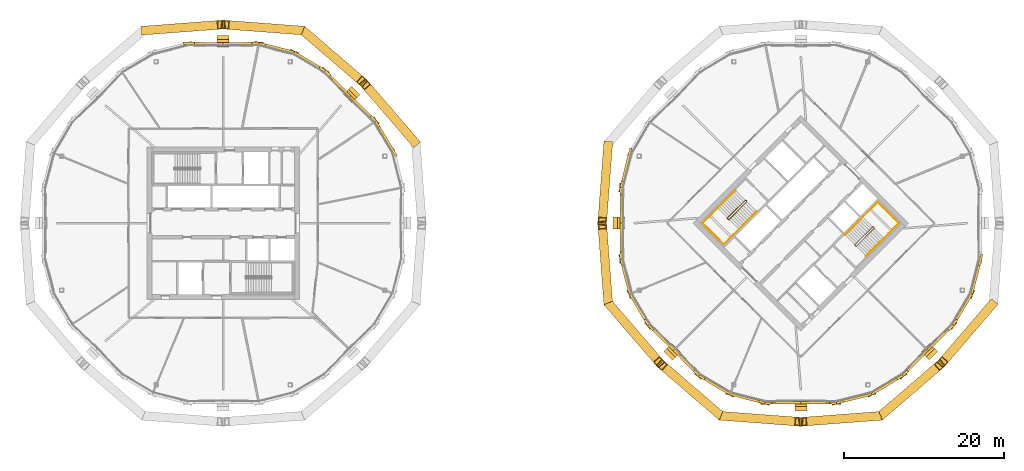
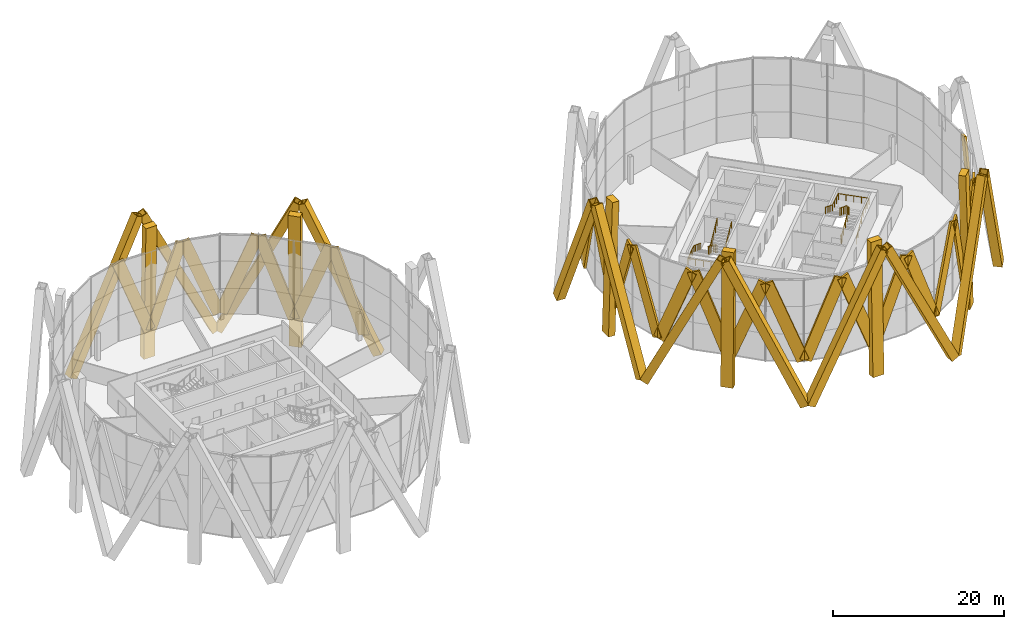
# One storey, part 22 of 23: 42 coverings, 4 railings.
"""IFC4 building model written with IfcOpenShell, lengths in metres."""

from ifc_helpers import new_model, si_unit, direction, frame, origin, origin_2d, place, context, subcontext, project, spatial, rectangle, hollow_rectangle, circle, extrude, material, material_profile, profile_set, type_object, element, save


model = new_model("IFC4")

# Units and contexts
model_context = context("Model", 3, precision=1e-05, world=origin(), true_north=direction((0.0, 1.0)))
body_context = subcontext(model_context, "Body", "Model", "MODEL_VIEW")
ifc_project = project(units=[si_unit("LENGTHUNIT", "METRE"), si_unit("AREAUNIT", "SQUARE_METRE"), si_unit("VOLUMEUNIT", "CUBIC_METRE"), si_unit("PLANEANGLEUNIT", "RADIAN"), si_unit("MASSUNIT", "GRAM", prefix="KILO")], contexts=[model_context])

# Site, building, storey
site_placement = place(None, origin())
site = spatial("IfcSite", under=ifc_project, at=site_placement, CompositionType="ELEMENT")
building_placement = place(site_placement, origin())
building = spatial("IfcBuilding", under=site, at=building_placement, Name="Ogive Gate Towers", CompositionType="ELEMENT")
storey_placement = place(building_placement, frame((0.0, 0.0, 165.60009765625)))
storey = spatial("IfcBuildingStorey", under=building, at=storey_placement, Name="L39", CompositionType="ELEMENT", Elevation=165.60009765625)

# Coverings
ifc_material_1 = material(Name="Pale metal aluminium", Category="aluminium")
ifc_material_profile_1 = material_profile(ifc_material_1, rectangle(XDim=1.5, YDim=0.89990234375, at=origin_2d()), Name="1500 x 900 pale metal aluminium")
ifc_profile_set_1 = profile_set([ifc_material_profile_1], Name="Pale metal aluminium")
covering_type_1 = type_object("IfcCoveringType", Name="Crease colonnette 1500 x 900", PredefinedType="CLADDING", material=ifc_profile_set_1)
for number, where, z_axis, x_axis, name in (
    (1, (-19.77197265625, 16.22802734375, -4.10009765625), (-0.019716323733, -0.019716323733, 0.999611190992), (0.707106781187, -0.707106781187, 0.0), "Crease colonnette"),
    (2, (-36.0, 22.949951171875, -4.10009765625), (0.0, -0.027885430639, 0.999611125767), (1.0, 0.0, 0.0), "Crease colonnette"),
    (3, (13.050048828125, 0.0, -4.10009765625), (0.027885430639, 0.0, 0.999611125767), (0.0, 1.0, 0.0), "Crease colonnette"),
    (4, (19.77197265625, -16.22802734375, -4.10009765625), (0.019716323733, 0.019716323733, 0.999611190992), (-0.707106781187, 0.707106781187, 0.0), "Crease colonnette"),
    (5, (36.0, -22.949951171875, -4.10009765625), (0.0, 0.027885430639, 0.999611125767), (-1.0, 0.0, 0.0), "Crease colonnette"),
    (6, (52.22802734375, -16.22802734375, -4.10009765625), (-0.019716323733, 0.019716323733, 0.999611190992), (-0.707106781187, -0.707106781187, 0.0), "Crease colonnette"),
):
    element("IfcCovering", number, at=place(storey_placement, frame(where, z_axis=z_axis, x_axis=x_axis)), inside=storey, type_object=covering_type_1, Name=name, PredefinedType="CLADDING", context=body_context, shape_type="SweptSolid", body=[
        extrude(rectangle(XDim=1.5, YDim=0.89990234375, at=origin_2d()), origin(), (0.0, 0.0, 1.0), 19.00732421875),
    ])
ifc_material_2 = material(Name="Pale metal aluminium cladding", Category="aluminium")
ifc_material_profile_2 = material_profile(ifc_material_2, hollow_rectangle(XDim=1.10009765625, YDim=1.10009765625, WallThickness=0.10009765625, at=origin_2d()), Name="1100 x 1100 pale metal casing")
ifc_profile_set_2 = profile_set([ifc_material_profile_2], Name="Pale metal aluminium cladding")
covering_type_2 = type_object("IfcCoveringType", Name="Diagrid casing 1100 x 1100", PredefinedType="CLADDING", material=ifc_profile_set_2)
for number, where, z_axis, x_axis, name in (
    (7, (-12.14599609375, 10.129150390625, -4.305908203125), (-0.28640402055, 0.333011902228, 0.898373981139), (-0.758169681127, -0.652057309307, 0.0), "Diagrid casing"),
    (8, (-25.870849609375, 23.85400390625, -4.305908203125), (0.333011902228, -0.28640402055, 0.898373981139), (0.652057309307, 0.758169681127, 0.0), "Diagrid casing"),
):
    element("IfcCovering", number, at=place(storey_placement, frame(where, z_axis=z_axis, x_axis=x_axis)), inside=storey, type_object=covering_type_2, Name=name, PredefinedType="CLADDING", context=body_context, shape_type="SweptSolid", body=[
        extrude(hollow_rectangle(XDim=1.10009765625, YDim=1.10009765625, WallThickness=0.10009765625, at=origin_2d()), origin(), (0.0, 0.0, 1.0), 21.607421875),
    ])
for number, where, z_axis, x_axis, name in (
    (9, (-26.294921875, 24.02978515625, -4.305908203125), (-0.437999553394, 0.032958717845, 0.898370811049), (-0.075036152058, -0.997180814037, 0.0), "Diagrid casing"),
    (10, (-45.705078125, 24.02978515625, -4.305908203125), (0.437999553394, 0.032958717845, 0.898370811049), (-0.075036152058, 0.997180814037, 0.0), "Diagrid casing"),
    (11, (11.97021484375, 9.705078125, -4.305908203125), (-0.032958717845, -0.437999553394, 0.898370811049), (0.997180814037, -0.075036152058, 0.0), "Diagrid casing"),
    (12, (11.97021484375, -9.705078125, -4.305908203125), (-0.032958717845, 0.437999553394, 0.898370811049), (-0.997180814037, -0.075036152058, 0.0), "Diagrid casing"),
):
    element("IfcCovering", number, at=place(storey_placement, frame(where, z_axis=z_axis, x_axis=x_axis)), inside=storey, type_object=covering_type_2, Name=name, PredefinedType="CLADDING", context=body_context, shape_type="SweptSolid", body=[
        extrude(hollow_rectangle(XDim=1.10009765625, YDim=1.10009765625, WallThickness=0.10009765625, at=origin_2d()), origin(), (0.0, 0.0, 1.0), 21.607666015625),
    ])
for number, where, z_axis, x_axis, name in (
    (13, (12.14599609375, -10.129150390625, -4.305908203125), (0.28640402055, -0.333011902228, 0.898373981139), (0.758169681127, 0.652057309307, 0.0), "Diagrid casing"),
    (14, (25.870849609375, -23.85400390625, -4.305908203125), (-0.333011902228, 0.28640402055, 0.898373981139), (-0.652057309307, -0.758169681127, 0.0), "Diagrid casing"),
):
    element("IfcCovering", number, at=place(storey_placement, frame(where, z_axis=z_axis, x_axis=x_axis)), inside=storey, type_object=covering_type_2, Name=name, PredefinedType="CLADDING", context=body_context, shape_type="SweptSolid", body=[
        extrude(hollow_rectangle(XDim=1.10009765625, YDim=1.10009765625, WallThickness=0.10009765625, at=origin_2d()), origin(), (0.0, 0.0, 1.0), 21.607421875),
    ])
for number, where, z_axis, x_axis, name in (
    (15, (26.294921875, -24.02978515625, -4.305908203125), (0.437999553394, -0.032958717845, 0.898370811049), (0.075036152058, 0.997180814037, 0.0), "Diagrid casing"),
    (16, (45.705078125, -24.02978515625, -4.305908203125), (-0.437999553394, -0.032958717845, 0.898370811049), (0.075036152058, -0.997180814037, 0.0), "Diagrid casing"),
):
    element("IfcCovering", number, at=place(storey_placement, frame(where, z_axis=z_axis, x_axis=x_axis)), inside=storey, type_object=covering_type_2, Name=name, PredefinedType="CLADDING", context=body_context, shape_type="SweptSolid", body=[
        extrude(hollow_rectangle(XDim=1.10009765625, YDim=1.10009765625, WallThickness=0.10009765625, at=origin_2d()), origin(), (0.0, 0.0, 1.0), 21.607666015625),
    ])
for number, where, z_axis, x_axis, name in (
    (17, (46.129150390625, -23.85400390625, -4.305908203125), (0.333011902228, 0.28640402055, 0.898373981139), (-0.652057309307, 0.758169681127, 0.0), "Diagrid casing"),
    (18, (59.85400390625, -10.129150390625, -4.305908203125), (-0.28640402055, -0.333011902228, 0.898373981139), (0.758169681127, -0.652057309307, 0.0), "Diagrid casing"),
):
    element("IfcCovering", number, at=place(storey_placement, frame(where, z_axis=z_axis, x_axis=x_axis)), inside=storey, type_object=covering_type_2, Name=name, PredefinedType="CLADDING", context=body_context, shape_type="SweptSolid", body=[
        extrude(hollow_rectangle(XDim=1.10009765625, YDim=1.10009765625, WallThickness=0.10009765625, at=origin_2d()), origin(), (0.0, 0.0, 1.0), 21.607421875),
    ])
ifc_material_profile_3 = material_profile(ifc_material_1, rectangle(XDim=0.300048828125, YDim=1.5, at=origin_2d()), Name="1500 x 300 pale metal aluminium")
ifc_profile_set_3 = profile_set([ifc_material_profile_3], Name="Pale metal aluminium")
covering_type_3 = type_object("IfcCoveringType", Name="Facade fin 1500 x 300", PredefinedType="CLADDING", material=ifc_profile_set_3)
covering_1_placement = place(storey_placement, frame((-14.76220703125, 8.94384765625, 0.01953125), z_axis=(-0.183480829235, 0.309103817281, 0.933161087619), x_axis=(-0.859915265798, -0.510436808671, 0.0)))
element("IfcCovering", 19, at=covering_1_placement, inside=storey, type_object=covering_type_3, Name="Facade fin", PredefinedType="CLADDING", context=body_context, shape_type="SweptSolid", body=[
    extrude(rectangle(XDim=0.300048828125, YDim=1.5, at=origin_2d()), origin(), (0.0, 0.0, 1.0), 11.85302734375),
])
for number, where, z_axis, x_axis, name in (
    (20, (-20.118896484375, 15.742919921875, 0.016357421875), (0.25496435911, -0.247293157105, 0.934793704532), (0.696225623066, 0.717823015643, 0.0), "Facade fin"),
    (21, (-20.257080078125, 15.881103515625, 0.016357421875), (-0.247293157105, 0.25496435911, 0.934793704532), (-0.717823015643, -0.696225623066, 0.0), "Facade fin"),
):
    element("IfcCovering", number, at=place(storey_placement, frame(where, z_axis=z_axis, x_axis=x_axis)), inside=storey, type_object=covering_type_3, Name=name, PredefinedType="CLADDING", context=body_context, shape_type="SweptSolid", body=[
        extrude(rectangle(XDim=0.300048828125, YDim=1.5, at=origin_2d()), origin(), (0.0, 0.0, 1.0), 11.839111328125),
    ])
for number, where, z_axis, x_axis, name in (
    (22, (-27.05615234375, 21.23779296875, 0.01953125), (0.309103817281, -0.183480829235, 0.933161087619), (0.510436808671, 0.859915265798, 0.0), "Facade fin"),
    (23, (-27.306640625, 21.341552734375, 0.01953125), (-0.348319514277, 0.088835791205, 0.933156856147), (-0.247130298452, -0.968982257622, 0.0), "Facade fin"),
):
    element("IfcCovering", number, at=place(storey_placement, frame(where, z_axis=z_axis, x_axis=x_axis)), inside=storey, type_object=covering_type_3, Name=name, PredefinedType="CLADDING", context=body_context, shape_type="SweptSolid", body=[
        extrude(rectangle(XDim=0.300048828125, YDim=1.5, at=origin_2d()), origin(), (0.0, 0.0, 1.0), 11.85302734375),
    ])
for number, where, z_axis, x_axis, name in (
    (24, (-35.90234375, 22.361572265625, 0.016357421875), (0.355162442023, 0.005423429266, 0.934788867173), (-0.015268498055, 0.999883429689, 0.0), "Facade fin"),
    (25, (-36.09765625, 22.361572265625, 0.016357421875), (-0.355162442023, 0.005423429266, 0.934788867173), (-0.015268498055, -0.999883429689, 0.0), "Facade fin"),
):
    element("IfcCovering", number, at=place(storey_placement, frame(where, z_axis=z_axis, x_axis=x_axis)), inside=storey, type_object=covering_type_3, Name=name, PredefinedType="CLADDING", context=body_context, shape_type="SweptSolid", body=[
        extrude(rectangle(XDim=0.300048828125, YDim=1.5, at=origin_2d()), origin(), (0.0, 0.0, 1.0), 11.839111328125),
    ])
covering_2_placement = place(storey_placement, frame((14.658447265625, 8.693359375, 0.01953125), z_axis=(-0.088835791205, -0.348319514277, 0.933156856147), x_axis=(0.968982257622, -0.247130298452, 0.0)))
element("IfcCovering", 26, at=covering_2_placement, inside=storey, type_object=covering_type_3, Name="Facade fin", PredefinedType="CLADDING", context=body_context, shape_type="SweptSolid", body=[
    extrude(rectangle(XDim=0.300048828125, YDim=1.5, at=origin_2d()), origin(), (0.0, 0.0, 1.0), 11.85302734375),
])
for number, where, z_axis, x_axis, name in (
    (27, (13.638427734375, 0.09765625, 0.016357421875), (-0.005423429266, 0.355162442023, 0.934788867173), (-0.999883429689, -0.015268498055, 0.0), "Facade fin"),
    (28, (13.638427734375, -0.09765625, 0.016357421875), (-0.005423429266, -0.355162442023, 0.934788867173), (0.999883429689, -0.015268498055, 0.0), "Facade fin"),
):
    element("IfcCovering", number, at=place(storey_placement, frame(where, z_axis=z_axis, x_axis=x_axis)), inside=storey, type_object=covering_type_3, Name=name, PredefinedType="CLADDING", context=body_context, shape_type="SweptSolid", body=[
        extrude(rectangle(XDim=0.300048828125, YDim=1.5, at=origin_2d()), origin(), (0.0, 0.0, 1.0), 11.839111328125),
    ])
for number, where, z_axis, x_axis, name in (
    (29, (14.658447265625, -8.693359375, 0.01953125), (-0.088835791205, 0.348319514277, 0.933156856147), (-0.968982257622, -0.247130298452, 0.0), "Facade fin"),
    (30, (14.76220703125, -8.94384765625, 0.01953125), (0.183480829235, -0.309103817281, 0.933161087619), (0.859915265798, 0.510436808671, 0.0), "Facade fin"),
):
    element("IfcCovering", number, at=place(storey_placement, frame(where, z_axis=z_axis, x_axis=x_axis)), inside=storey, type_object=covering_type_3, Name=name, PredefinedType="CLADDING", context=body_context, shape_type="SweptSolid", body=[
        extrude(rectangle(XDim=0.300048828125, YDim=1.5, at=origin_2d()), origin(), (0.0, 0.0, 1.0), 11.85302734375),
    ])
for number, where, z_axis, x_axis, name in (
    (31, (20.118896484375, -15.742919921875, 0.016357421875), (-0.25496435911, 0.247293157105, 0.934793704532), (-0.696225623066, -0.717823015643, 0.0), "Facade fin"),
    (32, (20.257080078125, -15.881103515625, 0.016357421875), (0.247293157105, -0.25496435911, 0.934793704532), (0.717823015643, 0.696225623066, 0.0), "Facade fin"),
):
    element("IfcCovering", number, at=place(storey_placement, frame(where, z_axis=z_axis, x_axis=x_axis)), inside=storey, type_object=covering_type_3, Name=name, PredefinedType="CLADDING", context=body_context, shape_type="SweptSolid", body=[
        extrude(rectangle(XDim=0.300048828125, YDim=1.5, at=origin_2d()), origin(), (0.0, 0.0, 1.0), 11.839111328125),
    ])
for number, where, z_axis, x_axis, name in (
    (33, (27.05615234375, -21.23779296875, 0.01953125), (-0.309103817281, 0.183480829235, 0.933161087619), (-0.510436808671, -0.859915265798, 0.0), "Facade fin"),
    (34, (27.306640625, -21.341552734375, 0.01953125), (0.348319514277, -0.088835791205, 0.933156856147), (0.247130298452, 0.968982257622, 0.0), "Facade fin"),
):
    element("IfcCovering", number, at=place(storey_placement, frame(where, z_axis=z_axis, x_axis=x_axis)), inside=storey, type_object=covering_type_3, Name=name, PredefinedType="CLADDING", context=body_context, shape_type="SweptSolid", body=[
        extrude(rectangle(XDim=0.300048828125, YDim=1.5, at=origin_2d()), origin(), (0.0, 0.0, 1.0), 11.85302734375),
    ])
for number, where, z_axis, x_axis, name in (
    (35, (35.90234375, -22.361572265625, 0.016357421875), (-0.355162442023, -0.005423429266, 0.934788867173), (0.015268498055, -0.999883429689, 0.0), "Facade fin"),
    (36, (36.09765625, -22.361572265625, 0.016357421875), (0.355162442023, -0.005423429266, 0.934788867173), (0.015268498055, 0.999883429689, 0.0), "Facade fin"),
):
    element("IfcCovering", number, at=place(storey_placement, frame(where, z_axis=z_axis, x_axis=x_axis)), inside=storey, type_object=covering_type_3, Name=name, PredefinedType="CLADDING", context=body_context, shape_type="SweptSolid", body=[
        extrude(rectangle(XDim=0.300048828125, YDim=1.5, at=origin_2d()), origin(), (0.0, 0.0, 1.0), 11.839111328125),
    ])
for number, where, z_axis, x_axis, name in (
    (37, (44.693359375, -21.341552734375, 0.01953125), (-0.348319514277, -0.088835791205, 0.933156856147), (0.247130298452, -0.968982257622, 0.0), "Facade fin"),
    (38, (44.94384765625, -21.23779296875, 0.01953125), (0.309103817281, 0.183480829235, 0.933161087619), (-0.510436808671, 0.859915265798, 0.0), "Facade fin"),
):
    element("IfcCovering", number, at=place(storey_placement, frame(where, z_axis=z_axis, x_axis=x_axis)), inside=storey, type_object=covering_type_3, Name=name, PredefinedType="CLADDING", context=body_context, shape_type="SweptSolid", body=[
        extrude(rectangle(XDim=0.300048828125, YDim=1.5, at=origin_2d()), origin(), (0.0, 0.0, 1.0), 11.85302734375),
    ])
for number, where, z_axis, x_axis, name in (
    (39, (51.742919921875, -15.881103515625, 0.016357421875), (-0.247293157105, -0.25496435911, 0.934793704532), (0.717823015643, -0.696225623066, 0.0), "Facade fin"),
    (40, (51.881103515625, -15.742919921875, 0.016357421875), (0.25496435911, 0.247293157105, 0.934793704532), (-0.696225623066, 0.717823015643, 0.0), "Facade fin"),
):
    element("IfcCovering", number, at=place(storey_placement, frame(where, z_axis=z_axis, x_axis=x_axis)), inside=storey, type_object=covering_type_3, Name=name, PredefinedType="CLADDING", context=body_context, shape_type="SweptSolid", body=[
        extrude(rectangle(XDim=0.300048828125, YDim=1.5, at=origin_2d()), origin(), (0.0, 0.0, 1.0), 11.839111328125),
    ])
for number, where, z_axis, x_axis, name in (
    (41, (57.23779296875, -8.94384765625, 0.01953125), (-0.183480829235, -0.309103817281, 0.933161087619), (0.859915265798, -0.510436808671, 0.0), "Facade fin"),
    (42, (57.341552734375, -8.693359375, 0.01953125), (0.088835791205, 0.348319514277, 0.933156856147), (-0.968982257622, 0.247130298452, 0.0), "Facade fin"),
):
    element("IfcCovering", number, at=place(storey_placement, frame(where, z_axis=z_axis, x_axis=x_axis)), inside=storey, type_object=covering_type_3, Name=name, PredefinedType="CLADDING", context=body_context, shape_type="SweptSolid", body=[
        extrude(rectangle(XDim=0.300048828125, YDim=1.5, at=origin_2d()), origin(), (0.0, 0.0, 1.0), 11.85302734375),
    ])

# Railings
ifc_material_3 = material(Name="Stainless steel", Category="steel")
railing_type_1 = type_object("IfcRailingType", Name="Stair guard 1100", PredefinedType="GUARDRAIL", material=ifc_material_3)
railing_1_placement = place(storey_placement, frame((29.15869140625, 2.8603515625, 0.0)))
element("IfcRailing", 43, at=railing_1_placement, inside=storey, type_object=railing_type_1, Name="L39 ST1 stair guard 1", PredefinedType="GUARDRAIL", context=body_context, shape_type="SweptSolid", body=[
    extrude(circle(Radius=0.02392578125, at=origin_2d()), frame((0.0, 0.0, 1.076171875), z_axis=(0.707106781187, -0.707106781187, 0.0), x_axis=(0.707106781187, 0.707106781187, 0.0)), (0.0, 0.0, 1.0), 0.14501953125),
    extrude(circle(Radius=0.02392578125, at=origin_2d()), frame((0.1025390625, -0.1025390625, 1.076171875), z_axis=(-0.645571447971, 0.382425963537, 0.661050594114), x_axis=(-0.509669330572, -0.860370369942, 0.0)), (0.0, 0.0, 1.0), 0.26806640625),
    extrude(circle(Radius=0.02392578125, at=origin_2d()), frame((-0.070556640625, 0.0, 1.25341796875), z_axis=(-0.61558473135, -0.61558473135, 0.49204763698), x_axis=(0.707106781187, -0.707106781187, 0.0)), (0.0, 0.0, 1.0), 3.602783203125),
    extrude(circle(Radius=0.02392578125, at=origin_2d()), frame((-2.288330078125, -2.2177734375, 3.02587890625), z_axis=(0.0, -1.0, 0.0), x_axis=(1.0, 0.0, 0.0)), (0.0, 0.0, 1.0), 0.07080078125),
    extrude(circle(Radius=0.02392578125, at=origin_2d()), frame((-2.288330078125, -2.28857421875, 3.02587890625), z_axis=(0.707106781187, -0.707106781187, 0.0), x_axis=(0.707106781187, 0.707106781187, 0.0)), (0.0, 0.0, 1.0), 0.14501953125),
    extrude(circle(Radius=0.02392578125, at=origin_2d()), frame((-2.185791015625, -2.39111328125, 3.02587890625), z_axis=(0.369845645421, 0.0, 0.929093213065), x_axis=(0.0, 1.0, 0.0)), (0.0, 0.0, 1.0), 0.190673828125),
    extrude(circle(Radius=0.02392578125, at=origin_2d()), frame((-2.115234375, -2.39111328125, 3.203125), z_axis=(0.61558473135, 0.61558473135, 0.49204763698), x_axis=(-0.707106781187, 0.707106781187, 0.0)), (0.0, 0.0, 1.0), 3.602783203125),
    extrude(circle(Radius=0.02099609375, at=origin_2d()), origin(), (0.0, 0.0, 1.0), 1.052001953125),
    extrude(circle(Radius=0.02099609375, at=origin_2d()), frame((0.1025390625, -0.1025390625, 0.0)), (0.0, 0.0, 1.0), 1.052001953125),
    extrude(circle(Radius=0.02099609375, at=origin_2d()), frame((-0.070556640625, 0.0, 0.17724609375)), (0.0, 0.0, 1.0), 1.052001953125),
    extrude(circle(Radius=0.02099609375, at=origin_2d()), frame((-0.625, -0.554443359375, 0.620361328125)), (0.0, 0.0, 1.0), 1.052001953125),
    extrude(circle(Radius=0.02099609375, at=origin_2d()), frame((-1.179443359375, -1.10888671875, 1.0634765625)), (0.0, 0.0, 1.0), 1.052001953125),
    extrude(circle(Radius=0.02099609375, at=origin_2d()), frame((-1.73388671875, -1.663330078125, 1.5068359375)), (0.0, 0.0, 1.0), 1.052001953125),
    extrude(circle(Radius=0.02099609375, at=origin_2d()), frame((-2.288330078125, -2.2177734375, 1.949951171875)), (0.0, 0.0, 1.0), 1.052001953125),
    extrude(circle(Radius=0.02099609375, at=origin_2d()), frame((-2.288330078125, -2.28857421875, 1.949951171875)), (0.0, 0.0, 1.0), 1.052001953125),
    extrude(circle(Radius=0.02099609375, at=origin_2d()), frame((-2.185791015625, -2.39111328125, 1.949951171875)), (0.0, 0.0, 1.0), 1.052001953125),
    extrude(circle(Radius=0.02099609375, at=origin_2d()), frame((-2.115234375, -2.39111328125, 2.127197265625)), (0.0, 0.0, 1.0), 1.052001953125),
    extrude(circle(Radius=0.02099609375, at=origin_2d()), frame((-1.560791015625, -1.836669921875, 2.5703125)), (0.0, 0.0, 1.0), 1.052001953125),
    extrude(circle(Radius=0.02099609375, at=origin_2d()), frame((-1.00634765625, -1.2822265625, 3.013671875)), (0.0, 0.0, 1.0), 1.052001953125),
    extrude(circle(Radius=0.02099609375, at=origin_2d()), frame((-0.451904296875, -0.727783203125, 3.456787109375)), (0.0, 0.0, 1.0), 1.052001953125),
    extrude(circle(Radius=0.02099609375, at=origin_2d()), frame((0.1025390625, -0.17333984375, 3.89990234375)), (0.0, 0.0, 1.0), 1.052001953125),
])
railing_2_placement = place(storey_placement, frame((42.84130859375, -2.8603515625, 0.0)))
element("IfcRailing", 44, at=railing_2_placement, inside=storey, type_object=railing_type_1, Name="L39 ST2 stair guard 1", PredefinedType="GUARDRAIL", context=body_context, shape_type="SweptSolid", body=[
    extrude(circle(Radius=0.02392578125, at=origin_2d()), frame((0.0, 0.0, 1.076171875), z_axis=(-0.707106781187, 0.707106781187, 0.0), x_axis=(-0.707106781187, -0.707106781187, 0.0)), (0.0, 0.0, 1.0), 0.14501953125),
    extrude(circle(Radius=0.02392578125, at=origin_2d()), frame((-0.1025390625, 0.1025390625, 1.076171875), z_axis=(0.645571447971, -0.382425963537, 0.661050594114), x_axis=(0.509669330572, 0.860370369942, 0.0)), (0.0, 0.0, 1.0), 0.26806640625),
    extrude(circle(Radius=0.02392578125, at=origin_2d()), frame((0.070556640625, 0.0, 1.25341796875), z_axis=(0.61558473135, 0.61558473135, 0.49204763698), x_axis=(-0.707106781187, 0.707106781187, 0.0)), (0.0, 0.0, 1.0), 3.602783203125),
    extrude(circle(Radius=0.02392578125, at=origin_2d()), frame((2.288330078125, 2.2177734375, 3.02587890625), z_axis=(0.0, 1.0, 0.0), x_axis=(-1.0, 0.0, 0.0)), (0.0, 0.0, 1.0), 0.07080078125),
    extrude(circle(Radius=0.02392578125, at=origin_2d()), frame((2.288330078125, 2.28857421875, 3.02587890625), z_axis=(-0.707106781187, 0.707106781187, 0.0), x_axis=(-0.707106781187, -0.707106781187, 0.0)), (0.0, 0.0, 1.0), 0.14501953125),
    extrude(circle(Radius=0.02392578125, at=origin_2d()), frame((2.185791015625, 2.39111328125, 3.02587890625), z_axis=(-0.369845645421, 0.0, 0.929093213065), x_axis=(0.0, -1.0, 0.0)), (0.0, 0.0, 1.0), 0.190673828125),
    extrude(circle(Radius=0.02392578125, at=origin_2d()), frame((2.115234375, 2.39111328125, 3.203125), z_axis=(-0.61558473135, -0.61558473135, 0.49204763698), x_axis=(0.707106781187, -0.707106781187, 0.0)), (0.0, 0.0, 1.0), 3.602783203125),
    extrude(circle(Radius=0.02099609375, at=origin_2d()), origin(), (0.0, 0.0, 1.0), 1.052001953125),
    extrude(circle(Radius=0.02099609375, at=origin_2d()), frame((-0.1025390625, 0.1025390625, 0.0)), (0.0, 0.0, 1.0), 1.052001953125),
    extrude(circle(Radius=0.02099609375, at=origin_2d()), frame((0.070556640625, 0.0, 0.17724609375)), (0.0, 0.0, 1.0), 1.052001953125),
    extrude(circle(Radius=0.02099609375, at=origin_2d()), frame((0.625, 0.554443359375, 0.620361328125)), (0.0, 0.0, 1.0), 1.052001953125),
    extrude(circle(Radius=0.02099609375, at=origin_2d()), frame((1.179443359375, 1.10888671875, 1.0634765625)), (0.0, 0.0, 1.0), 1.052001953125),
    extrude(circle(Radius=0.02099609375, at=origin_2d()), frame((1.73388671875, 1.663330078125, 1.5068359375)), (0.0, 0.0, 1.0), 1.052001953125),
    extrude(circle(Radius=0.02099609375, at=origin_2d()), frame((2.288330078125, 2.2177734375, 1.949951171875)), (0.0, 0.0, 1.0), 1.052001953125),
    extrude(circle(Radius=0.02099609375, at=origin_2d()), frame((2.288330078125, 2.28857421875, 1.949951171875)), (0.0, 0.0, 1.0), 1.052001953125),
    extrude(circle(Radius=0.02099609375, at=origin_2d()), frame((2.185791015625, 2.39111328125, 1.949951171875)), (0.0, 0.0, 1.0), 1.052001953125),
    extrude(circle(Radius=0.02099609375, at=origin_2d()), frame((2.115234375, 2.39111328125, 2.127197265625)), (0.0, 0.0, 1.0), 1.052001953125),
    extrude(circle(Radius=0.02099609375, at=origin_2d()), frame((1.560791015625, 1.836669921875, 2.5703125)), (0.0, 0.0, 1.0), 1.052001953125),
    extrude(circle(Radius=0.02099609375, at=origin_2d()), frame((1.00634765625, 1.2822265625, 3.013671875)), (0.0, 0.0, 1.0), 1.052001953125),
    extrude(circle(Radius=0.02099609375, at=origin_2d()), frame((0.451904296875, 0.727783203125, 3.456787109375)), (0.0, 0.0, 1.0), 1.052001953125),
    extrude(circle(Radius=0.02099609375, at=origin_2d()), frame((-0.1025390625, 0.17333984375, 3.89990234375)), (0.0, 0.0, 1.0), 1.052001953125),
])
railing_type_2 = type_object("IfcRailingType", Name="Stair handrail 900", PredefinedType="HANDRAIL", material=ifc_material_3)
railing_3_placement = place(storey_placement, frame((27.857666015625, 4.090576171875, 0.17724609375)))
element("IfcRailing", 45, at=railing_3_placement, inside=storey, type_object=railing_type_2, Name="L39 ST1 stair handrail 1", PredefinedType="HANDRAIL", context=body_context, shape_type="SweptSolid", body=[
    extrude(circle(Radius=0.02392578125, at=origin_2d()), frame((0.0, 0.0, 0.8759765625), z_axis=(-0.61558473135, -0.61558473135, 0.49204763698), x_axis=(0.707106781187, -0.707106781187, 0.0)), (0.0, 0.0, 1.0), 3.602783203125),
    extrude(circle(Radius=0.02392578125, at=origin_2d()), frame((-2.2177734375, -2.2177734375, 2.6484375), z_axis=(-0.707106781187, -0.707106781187, 0.0), x_axis=(0.707106781187, -0.707106781187, 0.0)), (0.0, 0.0, 1.0), 2.6484375),
    extrude(circle(Radius=0.02392578125, at=origin_2d()), frame((-4.090576171875, -4.090576171875, 2.6484375), z_axis=(0.707106781187, -0.707106781187, 0.0), x_axis=(0.707106781187, 0.707106781187, 0.0)), (0.0, 0.0, 1.0), 3.72509765625),
    extrude(circle(Radius=0.02392578125, at=origin_2d()), frame((-1.45654296875, -6.724609375, 2.6484375), z_axis=(0.705482886452, 0.705574853978, 0.066768423356), x_axis=(-0.70715286629, 0.70706069308, 0.0)), (0.0, 0.0, 1.0), 2.654541015625),
    extrude(circle(Radius=0.02392578125, at=origin_2d()), frame((0.416259765625, -4.8515625, 2.82568359375), z_axis=(0.615610411033, 0.615542642384, 0.4920681632), x_axis=(-0.70706785752, 0.70714570271, 0.0)), (0.0, 0.0, 1.0), 3.6025390625),
    extrude(circle(Radius=0.02099609375, at=origin_2d()), origin(), (0.0, 0.0, 1.0), 0.851806640625),
    extrude(circle(Radius=0.02099609375, at=origin_2d()), frame((-0.554443359375, -0.554443359375, 0.443115234375)), (0.0, 0.0, 1.0), 0.851806640625),
    extrude(circle(Radius=0.02099609375, at=origin_2d()), frame((-1.10888671875, -1.10888671875, 0.88623046875)), (0.0, 0.0, 1.0), 0.851806640625),
    extrude(circle(Radius=0.02099609375, at=origin_2d()), frame((-1.663330078125, -1.663330078125, 1.32958984375)), (0.0, 0.0, 1.0), 0.851806640625),
    extrude(circle(Radius=0.02099609375, at=origin_2d()), frame((-2.2177734375, -2.2177734375, 1.772705078125)), (0.0, 0.0, 1.0), 0.851806640625),
    extrude(circle(Radius=0.02099609375, at=origin_2d()), frame((-2.842041015625, -2.842041015625, 1.772705078125)), (0.0, 0.0, 1.0), 0.851806640625),
    extrude(circle(Radius=0.02099609375, at=origin_2d()), frame((-3.46630859375, -3.46630859375, 1.772705078125)), (0.0, 0.0, 1.0), 0.851806640625),
    extrude(circle(Radius=0.02099609375, at=origin_2d()), frame((-4.090576171875, -4.090576171875, 1.772705078125)), (0.0, 0.0, 1.0), 0.851806640625),
    extrude(circle(Radius=0.02099609375, at=origin_2d()), frame((-3.43212890625, -4.7490234375, 1.772705078125)), (0.0, 0.0, 1.0), 0.851806640625),
    extrude(circle(Radius=0.02099609375, at=origin_2d()), frame((-2.7734375, -5.40771484375, 1.772705078125)), (0.0, 0.0, 1.0), 0.851806640625),
    extrude(circle(Radius=0.02099609375, at=origin_2d()), frame((-2.114990234375, -6.066162109375, 1.772705078125)), (0.0, 0.0, 1.0), 0.851806640625),
    extrude(circle(Radius=0.02099609375, at=origin_2d()), frame((-1.45654296875, -6.724609375, 1.772705078125)), (0.0, 0.0, 1.0), 0.851806640625),
    extrude(circle(Radius=0.02099609375, at=origin_2d()), frame((-0.832275390625, -6.100341796875, 1.831787109375)), (0.0, 0.0, 1.0), 0.851806640625),
    extrude(circle(Radius=0.02099609375, at=origin_2d()), frame((-0.2080078125, -5.475830078125, 1.890869140625)), (0.0, 0.0, 1.0), 0.851806640625),
    extrude(circle(Radius=0.02099609375, at=origin_2d()), frame((0.416259765625, -4.8515625, 1.949951171875)), (0.0, 0.0, 1.0), 0.851806640625),
    extrude(circle(Radius=0.02099609375, at=origin_2d()), frame((0.970703125, -4.297119140625, 2.39306640625)), (0.0, 0.0, 1.0), 0.851806640625),
    extrude(circle(Radius=0.02099609375, at=origin_2d()), frame((1.525146484375, -3.74267578125, 2.83642578125)), (0.0, 0.0, 1.0), 0.851806640625),
    extrude(circle(Radius=0.02099609375, at=origin_2d()), frame((2.07958984375, -3.1884765625, 3.279541015625)), (0.0, 0.0, 1.0), 0.851806640625),
    extrude(circle(Radius=0.02099609375, at=origin_2d()), frame((2.634033203125, -2.634033203125, 3.72265625)), (0.0, 0.0, 1.0), 0.851806640625),
])
railing_4_placement = place(storey_placement, frame((44.142333984375, -4.090576171875, 0.17724609375)))
element("IfcRailing", 46, at=railing_4_placement, inside=storey, type_object=railing_type_2, Name="L39 ST2 stair handrail 1", PredefinedType="HANDRAIL", context=body_context, shape_type="SweptSolid", body=[
    extrude(circle(Radius=0.02392578125, at=origin_2d()), frame((0.0, 0.0, 0.8759765625), z_axis=(0.61558473135, 0.61558473135, 0.49204763698), x_axis=(-0.707106781187, 0.707106781187, 0.0)), (0.0, 0.0, 1.0), 3.602783203125),
    extrude(circle(Radius=0.02392578125, at=origin_2d()), frame((2.2177734375, 2.2177734375, 2.6484375), z_axis=(0.707106781187, 0.707106781187, 0.0), x_axis=(-0.707106781187, 0.707106781187, 0.0)), (0.0, 0.0, 1.0), 2.6484375),
    extrude(circle(Radius=0.02392578125, at=origin_2d()), frame((4.090576171875, 4.090576171875, 2.6484375), z_axis=(-0.707106781187, 0.707106781187, 0.0), x_axis=(-0.707106781187, -0.707106781187, 0.0)), (0.0, 0.0, 1.0), 3.72509765625),
    extrude(circle(Radius=0.02392578125, at=origin_2d()), frame((1.45654296875, 6.724609375, 2.6484375), z_axis=(-0.705482886452, -0.705574853978, 0.066768423356), x_axis=(0.70715286629, -0.70706069308, 0.0)), (0.0, 0.0, 1.0), 2.654541015625),
    extrude(circle(Radius=0.02392578125, at=origin_2d()), frame((-0.416259765625, 4.8515625, 2.82568359375), z_axis=(-0.615610411033, -0.615542642384, 0.4920681632), x_axis=(0.70706785752, -0.70714570271, 0.0)), (0.0, 0.0, 1.0), 3.6025390625),
    extrude(circle(Radius=0.02099609375, at=origin_2d()), origin(), (0.0, 0.0, 1.0), 0.851806640625),
    extrude(circle(Radius=0.02099609375, at=origin_2d()), frame((0.554443359375, 0.554443359375, 0.443115234375)), (0.0, 0.0, 1.0), 0.851806640625),
    extrude(circle(Radius=0.02099609375, at=origin_2d()), frame((1.10888671875, 1.10888671875, 0.88623046875)), (0.0, 0.0, 1.0), 0.851806640625),
    extrude(circle(Radius=0.02099609375, at=origin_2d()), frame((1.663330078125, 1.663330078125, 1.32958984375)), (0.0, 0.0, 1.0), 0.851806640625),
    extrude(circle(Radius=0.02099609375, at=origin_2d()), frame((2.2177734375, 2.2177734375, 1.772705078125)), (0.0, 0.0, 1.0), 0.851806640625),
    extrude(circle(Radius=0.02099609375, at=origin_2d()), frame((2.842041015625, 2.842041015625, 1.772705078125)), (0.0, 0.0, 1.0), 0.851806640625),
    extrude(circle(Radius=0.02099609375, at=origin_2d()), frame((3.46630859375, 3.46630859375, 1.772705078125)), (0.0, 0.0, 1.0), 0.851806640625),
    extrude(circle(Radius=0.02099609375, at=origin_2d()), frame((4.090576171875, 4.090576171875, 1.772705078125)), (0.0, 0.0, 1.0), 0.851806640625),
    extrude(circle(Radius=0.02099609375, at=origin_2d()), frame((3.43212890625, 4.7490234375, 1.772705078125)), (0.0, 0.0, 1.0), 0.851806640625),
    extrude(circle(Radius=0.02099609375, at=origin_2d()), frame((2.7734375, 5.40771484375, 1.772705078125)), (0.0, 0.0, 1.0), 0.851806640625),
    extrude(circle(Radius=0.02099609375, at=origin_2d()), frame((2.114990234375, 6.066162109375, 1.772705078125)), (0.0, 0.0, 1.0), 0.851806640625),
    extrude(circle(Radius=0.02099609375, at=origin_2d()), frame((1.45654296875, 6.724609375, 1.772705078125)), (0.0, 0.0, 1.0), 0.851806640625),
    extrude(circle(Radius=0.02099609375, at=origin_2d()), frame((0.832275390625, 6.100341796875, 1.831787109375)), (0.0, 0.0, 1.0), 0.851806640625),
    extrude(circle(Radius=0.02099609375, at=origin_2d()), frame((0.2080078125, 5.475830078125, 1.890869140625)), (0.0, 0.0, 1.0), 0.851806640625),
    extrude(circle(Radius=0.02099609375, at=origin_2d()), frame((-0.416259765625, 4.8515625, 1.949951171875)), (0.0, 0.0, 1.0), 0.851806640625),
    extrude(circle(Radius=0.02099609375, at=origin_2d()), frame((-0.970703125, 4.297119140625, 2.39306640625)), (0.0, 0.0, 1.0), 0.851806640625),
    extrude(circle(Radius=0.02099609375, at=origin_2d()), frame((-1.525146484375, 3.74267578125, 2.83642578125)), (0.0, 0.0, 1.0), 0.851806640625),
    extrude(circle(Radius=0.02099609375, at=origin_2d()), frame((-2.07958984375, 3.1884765625, 3.279541015625)), (0.0, 0.0, 1.0), 0.851806640625),
    extrude(circle(Radius=0.02099609375, at=origin_2d()), frame((-2.634033203125, 2.634033203125, 3.72265625)), (0.0, 0.0, 1.0), 0.851806640625),
])

save(model, "model.ifc")
